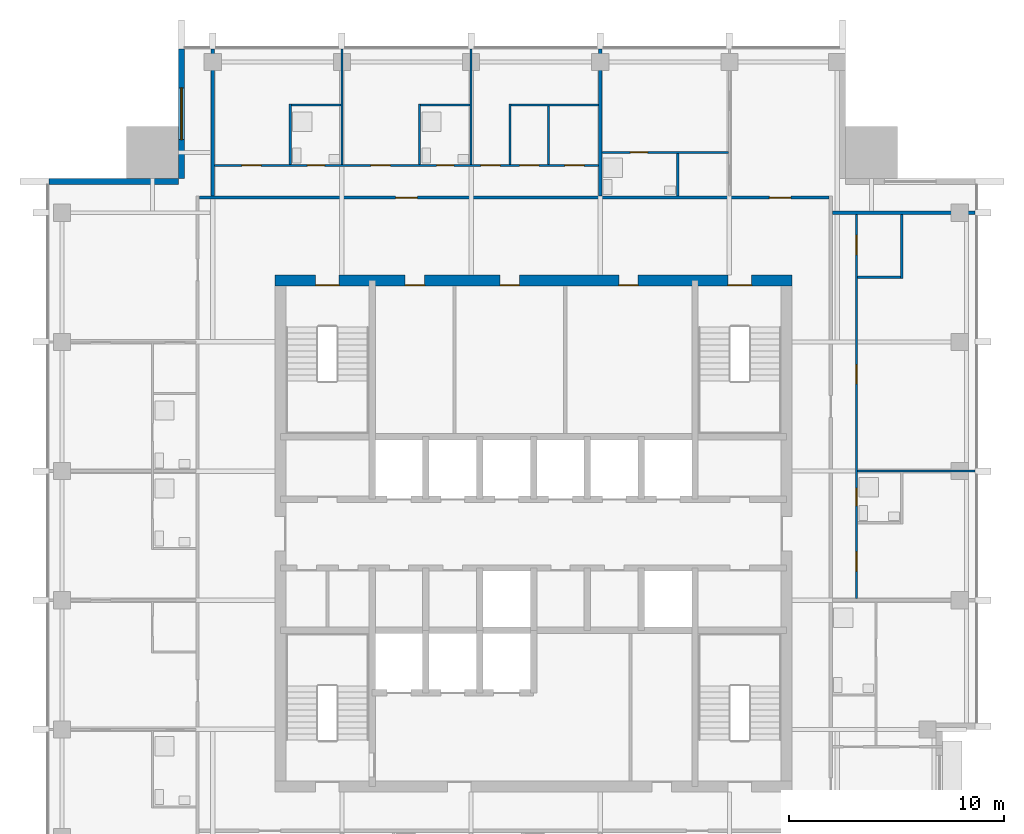
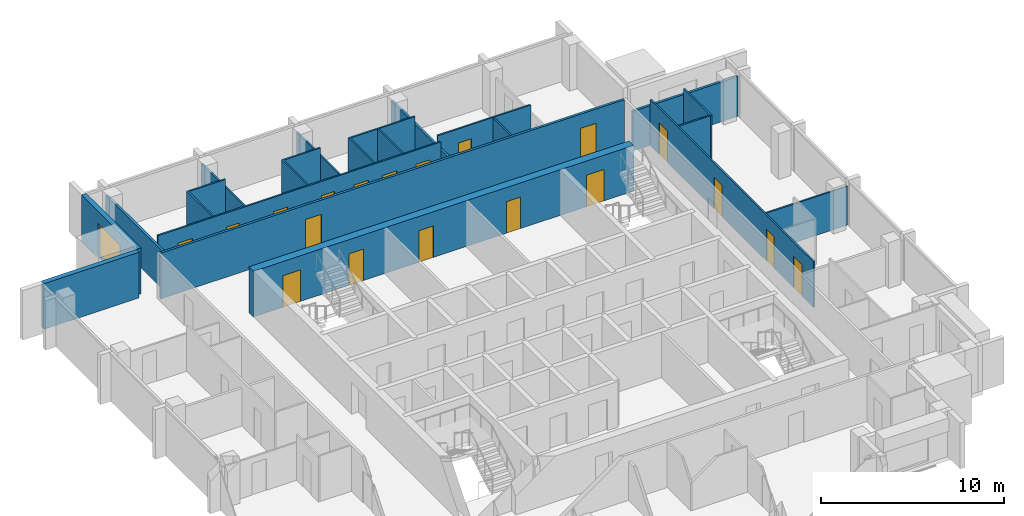
# One storey, part 6 of 9: 23 walls, 19 doors, 1 window, 20 openings.
"""IFC4 building model written with IfcOpenShell, lengths in metres."""

from ifc_helpers import new_model, si_unit, direction, frame, frame_2d, origin, place, context, subcontext, project, spatial, rectangle, extrude, material, layer, layer_set, type_object, element, fill, save


model = new_model("IFC4")

# Units and contexts
model_context = context("Model", 3, precision=1e-05, world=origin(), true_north=direction((0.0, 1.0)))
body_context = subcontext(model_context, "Body", "Model", "MODEL_VIEW")
ifc_project = project(units=[si_unit("LENGTHUNIT", "METRE"), si_unit("AREAUNIT", "SQUARE_METRE"), si_unit("VOLUMEUNIT", "CUBIC_METRE"), si_unit("PLANEANGLEUNIT", "RADIAN"), si_unit("MASSUNIT", "GRAM", prefix="KILO")], contexts=[model_context])

# Site, building, storey
site_placement = place(None, origin())
site = spatial("IfcSite", under=ifc_project, at=site_placement, CompositionType="ELEMENT")
building_placement = place(site_placement, origin())
building = spatial("IfcBuilding", under=site, at=building_placement, Name="Amberfall Residences", CompositionType="ELEMENT")
storey_placement = place(building_placement, frame((0.0, 0.0, 255.39990234375)))
storey = spatial("IfcBuildingStorey", under=building, at=storey_placement, Name="L68", CompositionType="ELEMENT", Elevation=255.39990234375)

# Wall, opening, window
ifc_material_1 = material(Name="Pale stone cladding on insulated backing", Category="masonry")
ifc_layer_1 = layer(ifc_material_1, 0.300048828125)
ifc_layer_set_1 = layer_set([ifc_layer_1], Name="Bronze clad wall 300")
wall_type_1 = type_object("IfcWallType", Name="Bronze clad wall 300", PredefinedType="SOLIDWALL", material=ifc_layer_set_1)
wall_1_placement = place(storey_placement, frame((58.14990234375, 68.0, 0.0), z_axis=(0.0, 0.0, 1.0), x_axis=(0.0, -1.0, 0.0)))
wall_1 = element("IfcWall", 1, at=wall_1_placement, inside=storey, type_object=wall_type_1, Name="External wall L68 NW", PredefinedType="SOLIDWALL", context=body_context, shape_type="SweptSolid", body=[
    extrude(rectangle(XDim=6.0, YDim=0.300048828125, at=frame_2d((3.0, 0.0))), origin(), (0.0, 0.0, 1.0), 3.050048828125),
])
opening_1_placement = place(wall_1_placement, frame((1.800048828125, 0.0, 0.14990234375)))
opening_1 = element("IfcOpeningElement", 2, at=opening_1_placement, cuts=wall_1, Name="Opening WN5", PredefinedType="OPENING", context=body_context, shape_type="SweptSolid", body=[
    extrude(rectangle(XDim=2.39990234375, YDim=2.10009765625, at=frame_2d((1.199951171875, 1.050048828125))), frame((0.0, 0.159912109375, 0.0), z_axis=(0.0, -1.0, 0.0), x_axis=(1.0, 0.0, 0.0)), (0.0, 0.0, 1.0), 0.320068359375),
])
ifc_material_2 = material(Name="Bronze aluminium framed glazing", Category="aluminium")
window_type = type_object("IfcWindowType", Name="Glazed opening 2400 x 2100 bronze", PartitioningType="DOUBLE_PANEL_VERTICAL", PredefinedType="WINDOW", material=ifc_material_2)
window_placement = place(opening_1_placement, origin())
window = element("IfcWindow", 3, at=window_placement, inside=storey, type_object=window_type, Name="Window L68 NW", OverallHeight=2.10009765625, OverallWidth=2.39990234375, PartitioningType="DOUBLE_PANEL_VERTICAL", PredefinedType="WINDOW", context=body_context, shape_type="SweptSolid", body=[
    extrude(rectangle(XDim=2.39990234375, YDim=2.10009765625, at=frame_2d((1.199951171875, 1.050048828125))), frame((0.0, 0.030029296875, 0.0), z_axis=(0.0, -1.0, 0.0), x_axis=(1.0, 0.0, 0.0)), (0.0, 0.0, 1.0), 0.06005859375),
])
fill(opening_1, window)

# Wall
wall_2_placement = place(storey_placement, frame((58.0, 61.85009765625, 0.0), z_axis=(0.0, 0.0, 1.0), x_axis=(-1.0, 0.0, 0.0)))
element("IfcWall", 4, at=wall_2_placement, inside=storey, type_object=wall_type_1, Name="External wall L68 NW", PredefinedType="SOLIDWALL", context=body_context, shape_type="SweptSolid", body=[
    extrude(rectangle(XDim=6.0, YDim=0.300048828125, at=frame_2d((3.0, 0.0))), origin(), (0.0, 0.0, 1.0), 3.050048828125),
])

# Wall, openings, doors
ifc_material_3 = material(Name="Concrete C50", Category="concrete")
ifc_layer_2 = layer(ifc_material_3, 0.5)
ifc_layer_set_2 = layer_set([ifc_layer_2], Name="Core wall 500 C50")
wall_type_2 = type_object("IfcWallType", Name="Core wall 500 C50", PredefinedType="SHEAR", material=ifc_layer_set_2)
wall_3_placement = place(storey_placement, frame((62.5, 57.25, 0.0), z_axis=(0.0, 0.0, 1.0), x_axis=(1.0, 0.0, 0.0)))
wall_3 = element("IfcWall", 5, at=wall_3_placement, inside=storey, type_object=wall_type_2, Name="Core wall RW9 L68 ON", PredefinedType="SHEAR", context=body_context, shape_type="SweptSolid", body=[
    extrude(rectangle(XDim=24.0, YDim=0.5, at=frame_2d((12.0, 0.0))), origin(), (0.0, 0.0, 1.0), 3.050048828125),
])
opening_2_placement = place(wall_3_placement, frame((21.02490234375, 0.0, 0.0)))
opening_2 = element("IfcOpeningElement", 6, at=opening_2_placement, cuts=wall_3, Name="Opening SD1", PredefinedType="OPENING", context=body_context, shape_type="SweptSolid", body=[
    extrude(rectangle(XDim=1.10009765625, YDim=2.10009765625, at=frame_2d((0.550048828125, 1.050048828125))), frame((0.0, 0.260009765625, 0.0), z_axis=(0.0, -1.0, 0.0), x_axis=(1.0, 0.0, 0.0)), (0.0, 0.0, 1.0), 0.52001953125),
])
opening_3_placement = place(wall_3_placement, frame((1.875, 0.0, 0.0)))
opening_3 = element("IfcOpeningElement", 7, at=opening_3_placement, cuts=wall_3, Name="Opening SD1", PredefinedType="OPENING", context=body_context, shape_type="SweptSolid", body=[
    extrude(rectangle(XDim=1.10009765625, YDim=2.10009765625, at=frame_2d((0.550048828125, 1.050048828125))), frame((0.0, 0.260009765625, 0.0), z_axis=(0.0, -1.0, 0.0), x_axis=(1.0, 0.0, 0.0)), (0.0, 0.0, 1.0), 0.52001953125),
])
opening_4_placement = place(wall_3_placement, frame((6.03759765625, 0.0, 0.0)))
opening_4 = element("IfcOpeningElement", 8, at=opening_4_placement, cuts=wall_3, Name="Opening RD1", PredefinedType="OPENING", context=body_context, shape_type="SweptSolid", body=[
    extrude(rectangle(XDim=0.89990234375, YDim=2.10009765625, at=frame_2d((0.449951171875, 1.050048828125))), frame((0.0, 0.260009765625, 0.0), z_axis=(0.0, -1.0, 0.0), x_axis=(1.0, 0.0, 0.0)), (0.0, 0.0, 1.0), 0.52001953125),
])
opening_5_placement = place(wall_3_placement, frame((10.447509765625, 0.0, 0.0)))
opening_5 = element("IfcOpeningElement", 9, at=opening_5_placement, cuts=wall_3, Name="Opening RD1", PredefinedType="OPENING", context=body_context, shape_type="SweptSolid", body=[
    extrude(rectangle(XDim=0.89990234375, YDim=2.10009765625, at=frame_2d((0.449951171875, 1.050048828125))), frame((0.0, 0.260009765625, 0.0), z_axis=(0.0, -1.0, 0.0), x_axis=(1.0, 0.0, 0.0)), (0.0, 0.0, 1.0), 0.52001953125),
])
opening_6_placement = place(wall_3_placement, frame((15.9599609375, 0.0, 0.0)))
opening_6 = element("IfcOpeningElement", 10, at=opening_6_placement, cuts=wall_3, Name="Opening RD1", PredefinedType="OPENING", context=body_context, shape_type="SweptSolid", body=[
    extrude(rectangle(XDim=0.89990234375, YDim=2.10009765625, at=frame_2d((0.449951171875, 1.050048828125))), frame((0.0, 0.260009765625, 0.0), z_axis=(0.0, -1.0, 0.0), x_axis=(1.0, 0.0, 0.0)), (0.0, 0.0, 1.0), 0.52001953125),
])
ifc_material_4 = material(Name="Steel fire door set", Category="steel")
door_type_1 = type_object("IfcDoorType", Name="Service room door 900 x 2100", OperationType="SINGLE_SWING_LEFT", PredefinedType="DOOR", material=ifc_material_4)
door_1_placement = place(opening_4_placement, origin())
door_1 = element("IfcDoor", 11, at=door_1_placement, inside=storey, type_object=door_type_1, Name="RD1 L68", OperationType="SINGLE_SWING_RIGHT", OverallHeight=2.10009765625, OverallWidth=0.89990234375, PredefinedType="DOOR", context=body_context, shape_type="SweptSolid", body=[
    extrude(rectangle(XDim=0.89990234375, YDim=2.10009765625, at=frame_2d((0.449951171875, 1.050048828125))), frame((0.0, -0.1875, 0.0), z_axis=(0.0, -1.0, 0.0), x_axis=(1.0, 0.0, 0.0)), (0.0, 0.0, 1.0), 0.050048828125),
])
fill(opening_4, door_1)
door_2_placement = place(opening_5_placement, origin())
door_2 = element("IfcDoor", 12, at=door_2_placement, inside=storey, type_object=door_type_1, Name="RD1 L68", OperationType="SINGLE_SWING_RIGHT", OverallHeight=2.10009765625, OverallWidth=0.89990234375, PredefinedType="DOOR", context=body_context, shape_type="SweptSolid", body=[
    extrude(rectangle(XDim=0.89990234375, YDim=2.10009765625, at=frame_2d((0.449951171875, 1.050048828125))), frame((0.0, -0.1875, 0.0), z_axis=(0.0, -1.0, 0.0), x_axis=(1.0, 0.0, 0.0)), (0.0, 0.0, 1.0), 0.050048828125),
])
fill(opening_5, door_2)
door_3_placement = place(opening_6_placement, origin())
door_3 = element("IfcDoor", 13, at=door_3_placement, inside=storey, type_object=door_type_1, Name="RD1 L68", OperationType="SINGLE_SWING_RIGHT", OverallHeight=2.10009765625, OverallWidth=0.89990234375, PredefinedType="DOOR", context=body_context, shape_type="SweptSolid", body=[
    extrude(rectangle(XDim=0.89990234375, YDim=2.10009765625, at=frame_2d((0.449951171875, 1.050048828125))), frame((0.0, -0.1875, 0.0), z_axis=(0.0, -1.0, 0.0), x_axis=(1.0, 0.0, 0.0)), (0.0, 0.0, 1.0), 0.050048828125),
])
fill(opening_6, door_3)
door_type_2 = type_object("IfcDoorType", Name="Stair door 1100 x 2100", OperationType="SINGLE_SWING_LEFT", PredefinedType="DOOR", material=ifc_material_4)
door_4_placement = place(opening_2_placement, origin())
door_4 = element("IfcDoor", 14, at=door_4_placement, inside=storey, type_object=door_type_2, Name="SD1 L68", OperationType="SINGLE_SWING_RIGHT", OverallHeight=2.10009765625, OverallWidth=1.10009765625, PredefinedType="DOOR", context=body_context, shape_type="SweptSolid", body=[
    extrude(rectangle(XDim=1.10009765625, YDim=2.10009765625, at=frame_2d((0.550048828125, 1.050048828125))), frame((0.0, -0.1875, 0.0), z_axis=(0.0, -1.0, 0.0), x_axis=(1.0, 0.0, 0.0)), (0.0, 0.0, 1.0), 0.050048828125),
])
fill(opening_2, door_4)
door_5_placement = place(opening_3_placement, origin())
door_5 = element("IfcDoor", 15, at=door_5_placement, inside=storey, type_object=door_type_2, Name="SD1 L68", OperationType="SINGLE_SWING_LEFT", OverallHeight=2.10009765625, OverallWidth=1.10009765625, PredefinedType="DOOR", context=body_context, shape_type="SweptSolid", body=[
    extrude(rectangle(XDim=1.10009765625, YDim=2.10009765625, at=frame_2d((0.550048828125, 1.050048828125))), frame((0.0, -0.1875, 0.0), z_axis=(0.0, -1.0, 0.0), x_axis=(1.0, 0.0, 0.0)), (0.0, 0.0, 1.0), 0.050048828125),
])
fill(opening_3, door_5)

# Walls
ifc_material_5 = material(Name="Gypsum board on metal stud")
ifc_layer_3 = layer(ifc_material_5, 0.10009765625)
ifc_layer_set_3 = layer_set([ifc_layer_3], Name="Flat partition 100")
wall_type_3 = type_object("IfcWallType", Name="Flat partition 100", PredefinedType="PARTITIONING", material=ifc_layer_set_3)
wall_4_placement = place(storey_placement, frame((63.199951171875, 62.64990234375, 0.0), z_axis=(0.0, 0.0, 1.0), x_axis=(0.0, 1.0, 0.0)))
element("IfcWall", 16, at=wall_4_placement, inside=storey, type_object=wall_type_3, Name="Partition 004", PredefinedType="PARTITIONING", context=body_context, shape_type="SweptSolid", body=[
    extrude(rectangle(XDim=2.800048828125, YDim=0.10009765625, at=frame_2d((1.39990234375, 0.0))), origin(), (0.0, 0.0, 1.0), 3.050048828125),
])
wall_5_placement = place(storey_placement, frame((65.60009765625, 62.64990234375, 0.0), z_axis=(0.0, 0.0, 1.0), x_axis=(0.0, 1.0, 0.0)))
element("IfcWall", 17, at=wall_5_placement, inside=storey, type_object=wall_type_3, Name="Partition 006", PredefinedType="PARTITIONING", context=body_context, shape_type="SweptSolid", body=[
    extrude(rectangle(XDim=5.35009765625, YDim=0.10009765625, at=frame_2d((2.675048828125, 0.0))), origin(), (0.0, 0.0, 1.0), 2.51611328125),
])
wall_6_placement = place(storey_placement, frame((69.199951171875, 62.64990234375, 0.0), z_axis=(0.0, 0.0, 1.0), x_axis=(0.0, 1.0, 0.0)))
element("IfcWall", 18, at=wall_6_placement, inside=storey, type_object=wall_type_3, Name="Partition 008", PredefinedType="PARTITIONING", context=body_context, shape_type="SweptSolid", body=[
    extrude(rectangle(XDim=2.800048828125, YDim=0.10009765625, at=frame_2d((1.39990234375, 0.0))), origin(), (0.0, 0.0, 1.0), 3.050048828125),
])
wall_7_placement = place(storey_placement, frame((71.60009765625, 62.64990234375, 0.0), z_axis=(0.0, 0.0, 1.0), x_axis=(0.0, 1.0, 0.0)))
element("IfcWall", 19, at=wall_7_placement, inside=storey, type_object=wall_type_3, Name="Partition 009", PredefinedType="PARTITIONING", context=body_context, shape_type="SweptSolid", body=[
    extrude(rectangle(XDim=5.35009765625, YDim=0.10009765625, at=frame_2d((2.675048828125, 0.0))), origin(), (0.0, 0.0, 1.0), 2.51611328125),
])
wall_8_placement = place(storey_placement, frame((73.39990234375, 62.64990234375, 0.0), z_axis=(0.0, 0.0, 1.0), x_axis=(0.0, 1.0, 0.0)))
element("IfcWall", 20, at=wall_8_placement, inside=storey, type_object=wall_type_3, Name="Partition 010", PredefinedType="PARTITIONING", context=body_context, shape_type="SweptSolid", body=[
    extrude(rectangle(XDim=2.800048828125, YDim=0.10009765625, at=frame_2d((1.39990234375, 0.0))), origin(), (0.0, 0.0, 1.0), 3.050048828125),
])
wall_9_placement = place(storey_placement, frame((75.199951171875, 62.64990234375, 0.0), z_axis=(0.0, 0.0, 1.0), x_axis=(0.0, 1.0, 0.0)))
element("IfcWall", 21, at=wall_9_placement, inside=storey, type_object=wall_type_3, Name="Partition 012", PredefinedType="PARTITIONING", context=body_context, shape_type="SweptSolid", body=[
    extrude(rectangle(XDim=2.7001953125, YDim=0.10009765625, at=frame_2d((1.35009765625, 0.0))), origin(), (0.0, 0.0, 1.0), 3.050048828125),
])
wall_10_placement = place(storey_placement, frame((81.199951171875, 61.175048828125, 0.0), z_axis=(0.0, 0.0, 1.0), x_axis=(0.0, 1.0, 0.0)))
element("IfcWall", 22, at=wall_10_placement, inside=storey, type_object=wall_type_3, Name="Partition 014", PredefinedType="PARTITIONING", context=body_context, shape_type="SweptSolid", body=[
    extrude(rectangle(XDim=1.974853515625, YDim=0.10009765625, at=frame_2d((0.9873046875, 0.0))), origin(), (0.0, 0.0, 1.0), 3.050048828125),
])

# Wall, openings, doors
wall_11_placement = place(storey_placement, frame((89.5, 60.324951171875, 0.0), z_axis=(0.0, 0.0, 1.0), x_axis=(0.0, -1.0, 0.0)))
wall_11 = element("IfcWall", 23, at=wall_11_placement, inside=storey, type_object=wall_type_3, Name="Partition 017", PredefinedType="PARTITIONING", context=body_context, shape_type="SweptSolid", body=[
    extrude(rectangle(XDim=17.849853515625, YDim=0.10009765625, at=frame_2d((8.9248046875, 0.0))), origin(), (0.0, 0.0, 1.0), 3.050048828125),
])
opening_7_placement = place(wall_11_placement, frame((6.97509765625, 0.0, 0.0)))
opening_7 = element("IfcOpeningElement", 24, at=opening_7_placement, cuts=wall_11, Name="Opening D41", PredefinedType="OPENING", context=body_context, shape_type="SweptSolid", body=[
    extrude(rectangle(XDim=0.89990234375, YDim=2.10009765625, at=frame_2d((0.449951171875, 1.050048828125))), frame((0.0, 0.06005859375, 0.0), z_axis=(0.0, -1.0, 0.0), x_axis=(1.0, 0.0, 0.0)), (0.0, 0.0, 1.0), 0.1201171875),
])
opening_8_placement = place(wall_11_placement, frame((0.97509765625, 0.0, 0.0)))
opening_8 = element("IfcOpeningElement", 25, at=opening_8_placement, cuts=wall_11, Name="Opening D41", PredefinedType="OPENING", context=body_context, shape_type="SweptSolid", body=[
    extrude(rectangle(XDim=0.89990234375, YDim=2.10009765625, at=frame_2d((0.449951171875, 1.050048828125))), frame((0.0, 0.06005859375, 0.0), z_axis=(0.0, -1.0, 0.0), x_axis=(1.0, 0.0, 0.0)), (0.0, 0.0, 1.0), 0.1201171875),
])
opening_9_placement = place(wall_11_placement, frame((15.675048828125, 0.0, 0.0)))
opening_9 = element("IfcOpeningElement", 26, at=opening_9_placement, cuts=wall_11, Name="Opening D41", PredefinedType="OPENING", context=body_context, shape_type="SweptSolid", body=[
    extrude(rectangle(XDim=0.89990234375, YDim=2.10009765625, at=frame_2d((0.449951171875, 1.050048828125))), frame((0.0, 0.06005859375, 0.0), z_axis=(0.0, -1.0, 0.0), x_axis=(1.0, 0.0, 0.0)), (0.0, 0.0, 1.0), 0.1201171875),
])
opening_10_placement = place(wall_11_placement, frame((12.72509765625, 0.0, 0.0)))
opening_10 = element("IfcOpeningElement", 27, at=opening_10_placement, cuts=wall_11, Name="Opening D42", PredefinedType="OPENING", context=body_context, shape_type="SweptSolid", body=[
    extrude(rectangle(XDim=0.800048828125, YDim=2.10009765625, at=frame_2d((0.39990234375, 1.050048828125))), frame((0.0, 0.06005859375, 0.0), z_axis=(0.0, -1.0, 0.0), x_axis=(1.0, 0.0, 0.0)), (0.0, 0.0, 1.0), 0.1201171875),
])
ifc_material_6 = material(Name="Timber", Category="wood")
door_type_3 = type_object("IfcDoorType", Name="Bathroom door 800 x 2100", OperationType="SINGLE_SWING_LEFT", PredefinedType="DOOR", material=ifc_material_6)
door_6_placement = place(opening_10_placement, origin())
door_6 = element("IfcDoor", 28, at=door_6_placement, inside=storey, type_object=door_type_3, Name="Door 6804 bath1", OperationType="SINGLE_SWING_LEFT", OverallHeight=2.10009765625, OverallWidth=0.800048828125, PredefinedType="DOOR", context=body_context, shape_type="SweptSolid", body=[
    extrude(rectangle(XDim=0.800048828125, YDim=2.10009765625, at=frame_2d((0.39990234375, 1.050048828125))), frame((0.0, 0.02490234375, 0.0), z_axis=(0.0, -1.0, 0.0), x_axis=(1.0, 0.0, 0.0)), (0.0, 0.0, 1.0), 0.050048828125),
])
fill(opening_10, door_6)
door_type_4 = type_object("IfcDoorType", Name="Internal door 900 x 2100", OperationType="SINGLE_SWING_LEFT", PredefinedType="DOOR", material=ifc_material_6)
door_7_placement = place(opening_7_placement, origin())
door_7 = element("IfcDoor", 29, at=door_7_placement, inside=storey, type_object=door_type_4, Name="Door 6804 living", OperationType="SINGLE_SWING_LEFT", OverallHeight=2.10009765625, OverallWidth=0.89990234375, PredefinedType="DOOR", context=body_context, shape_type="SweptSolid", body=[
    extrude(rectangle(XDim=0.89990234375, YDim=2.10009765625, at=frame_2d((0.449951171875, 1.050048828125))), frame((0.0, 0.02490234375, 0.0), z_axis=(0.0, -1.0, 0.0), x_axis=(1.0, 0.0, 0.0)), (0.0, 0.0, 1.0), 0.050048828125),
])
fill(opening_7, door_7)
door_8_placement = place(opening_8_placement, origin())
door_8 = element("IfcDoor", 30, at=door_8_placement, inside=storey, type_object=door_type_4, Name="Door 6804 kitchen", OperationType="SINGLE_SWING_LEFT", OverallHeight=2.10009765625, OverallWidth=0.89990234375, PredefinedType="DOOR", context=body_context, shape_type="SweptSolid", body=[
    extrude(rectangle(XDim=0.89990234375, YDim=2.10009765625, at=frame_2d((0.449951171875, 1.050048828125))), frame((0.0, 0.02490234375, 0.0), z_axis=(0.0, -1.0, 0.0), x_axis=(1.0, 0.0, 0.0)), (0.0, 0.0, 1.0), 0.050048828125),
])
fill(opening_8, door_8)
door_9_placement = place(opening_9_placement, origin())
door_9 = element("IfcDoor", 31, at=door_9_placement, inside=storey, type_object=door_type_4, Name="Door 6804 bedroom1", OperationType="SINGLE_SWING_LEFT", OverallHeight=2.10009765625, OverallWidth=0.89990234375, PredefinedType="DOOR", context=body_context, shape_type="SweptSolid", body=[
    extrude(rectangle(XDim=0.89990234375, YDim=2.10009765625, at=frame_2d((0.449951171875, 1.050048828125))), frame((0.0, 0.02490234375, 0.0), z_axis=(0.0, -1.0, 0.0), x_axis=(1.0, 0.0, 0.0)), (0.0, 0.0, 1.0), 0.050048828125),
])
fill(opening_9, door_9)

# Walls
wall_12_placement = place(storey_placement, frame((91.60009765625, 57.35009765625, 0.0), z_axis=(0.0, 0.0, 1.0), x_axis=(0.0, 1.0, 0.0)))
element("IfcWall", 32, at=wall_12_placement, inside=storey, type_object=wall_type_3, Name="Partition 020", PredefinedType="PARTITIONING", context=body_context, shape_type="SweptSolid", body=[
    extrude(rectangle(XDim=2.974853515625, YDim=0.10009765625, at=frame_2d((1.4873046875, 0.0))), origin(), (0.0, 0.0, 1.0), 3.050048828125),
])
for number, where, z_axis, x_axis, name in (
    (33, (63.25, 65.39990234375, 0.0), (0.0, 0.0, 1.0), (1.0, 0.0, 0.0), "Partition 021"),
    (34, (69.25, 65.39990234375, 0.0), (0.0, 0.0, 1.0), (1.0, 0.0, 0.0), "Partition 022"),
):
    element("IfcWall", number, at=place(storey_placement, frame(where, z_axis=z_axis, x_axis=x_axis)), inside=storey, type_object=wall_type_3, Name=name, PredefinedType="PARTITIONING", context=body_context, shape_type="SweptSolid", body=[
        extrude(rectangle(XDim=2.300048828125, YDim=0.10009765625, at=frame_2d((1.14990234375, 0.0))), origin(), (0.0, 0.0, 1.0), 3.050048828125),
    ])
wall_13_placement = place(storey_placement, frame((73.449951171875, 65.39990234375, 0.0), z_axis=(0.0, 0.0, 1.0), x_axis=(1.0, 0.0, 0.0)))
element("IfcWall", 35, at=wall_13_placement, inside=storey, type_object=wall_type_3, Name="Partition 023", PredefinedType="PARTITIONING", context=body_context, shape_type="SweptSolid", body=[
    extrude(rectangle(XDim=4.074951171875, YDim=0.10009765625, at=frame_2d((2.03759765625, 0.0))), origin(), (0.0, 0.0, 1.0), 3.050048828125),
])

# Wall, opening, door
wall_14_placement = place(storey_placement, frame((83.550048828125, 63.199951171875, 0.0), z_axis=(0.0, 0.0, 1.0), x_axis=(-1.0, 0.0, 0.0)))
wall_14 = element("IfcWall", 36, at=wall_14_placement, inside=storey, type_object=wall_type_3, Name="Partition 024", PredefinedType="PARTITIONING", context=body_context, shape_type="SweptSolid", body=[
    extrude(rectangle(XDim=5.875, YDim=0.10009765625, at=frame_2d((2.9375, 0.0))), origin(), (0.0, 0.0, 1.0), 3.050048828125),
])
opening_11_placement = place(wall_14_placement, frame((3.75, 0.0, 0.0)))
opening_11 = element("IfcOpeningElement", 37, at=opening_11_placement, cuts=wall_14, Name="Opening D42", PredefinedType="OPENING", context=body_context, shape_type="SweptSolid", body=[
    extrude(rectangle(XDim=0.800048828125, YDim=2.10009765625, at=frame_2d((0.39990234375, 1.050048828125))), frame((0.0, 0.06005859375, 0.0), z_axis=(0.0, -1.0, 0.0), x_axis=(1.0, 0.0, 0.0)), (0.0, 0.0, 1.0), 0.1201171875),
])
door_10_placement = place(opening_11_placement, origin())
door_10 = element("IfcDoor", 38, at=door_10_placement, inside=storey, type_object=door_type_3, Name="Door 6806 bath1", OperationType="SINGLE_SWING_LEFT", OverallHeight=2.10009765625, OverallWidth=0.800048828125, PredefinedType="DOOR", context=body_context, shape_type="SweptSolid", body=[
    extrude(rectangle(XDim=0.800048828125, YDim=2.10009765625, at=frame_2d((0.39990234375, 1.050048828125))), frame((0.0, 0.02490234375, 0.0), z_axis=(0.0, -1.0, 0.0), x_axis=(1.0, 0.0, 0.0)), (0.0, 0.0, 1.0), 0.050048828125),
])
fill(opening_11, door_10)

# Wall, openings, doors
wall_15_placement = place(storey_placement, frame((59.675048828125, 62.60009765625, 0.0), z_axis=(0.0, 0.0, 1.0), x_axis=(1.0, 0.0, 0.0)))
wall_15 = element("IfcWall", 39, at=wall_15_placement, inside=storey, type_object=wall_type_3, Name="Partition 025", PredefinedType="PARTITIONING", context=body_context, shape_type="SweptSolid", body=[
    extrude(rectangle(XDim=17.849853515625, YDim=0.10009765625, at=frame_2d((8.9248046875, 0.0))), origin(), (0.0, 0.0, 1.0), 3.050048828125),
])
opening_12_placement = place(wall_15_placement, frame((12.375, 0.0, 0.0)))
opening_12 = element("IfcOpeningElement", 40, at=opening_12_placement, cuts=wall_15, Name="Opening D41", PredefinedType="OPENING", context=body_context, shape_type="SweptSolid", body=[
    extrude(rectangle(XDim=0.89990234375, YDim=2.10009765625, at=frame_2d((0.449951171875, 1.050048828125))), frame((0.0, 0.06005859375, 0.0), z_axis=(0.0, -1.0, 0.0), x_axis=(1.0, 0.0, 0.0)), (0.0, 0.0, 1.0), 0.1201171875),
])
opening_13_placement = place(wall_15_placement, frame((16.27490234375, 0.0, 0.0)))
opening_13 = element("IfcOpeningElement", 41, at=opening_13_placement, cuts=wall_15, Name="Opening D41", PredefinedType="OPENING", context=body_context, shape_type="SweptSolid", body=[
    extrude(rectangle(XDim=0.89990234375, YDim=2.10009765625, at=frame_2d((0.449951171875, 1.050048828125))), frame((0.0, 0.06005859375, 0.0), z_axis=(0.0, -1.0, 0.0), x_axis=(1.0, 0.0, 0.0)), (0.0, 0.0, 1.0), 0.1201171875),
])
opening_14_placement = place(wall_15_placement, frame((14.175048828125, 0.0, 0.0)))
opening_14 = element("IfcOpeningElement", 42, at=opening_14_placement, cuts=wall_15, Name="Opening D41", PredefinedType="OPENING", context=body_context, shape_type="SweptSolid", body=[
    extrude(rectangle(XDim=0.89990234375, YDim=2.10009765625, at=frame_2d((0.449951171875, 1.050048828125))), frame((0.0, 0.06005859375, 0.0), z_axis=(0.0, -1.0, 0.0), x_axis=(1.0, 0.0, 0.0)), (0.0, 0.0, 1.0), 0.1201171875),
])
opening_15_placement = place(wall_15_placement, frame((1.27490234375, 0.0, 0.0)))
opening_15 = element("IfcOpeningElement", 43, at=opening_15_placement, cuts=wall_15, Name="Opening D41", PredefinedType="OPENING", context=body_context, shape_type="SweptSolid", body=[
    extrude(rectangle(XDim=0.89990234375, YDim=2.10009765625, at=frame_2d((0.449951171875, 1.050048828125))), frame((0.0, 0.06005859375, 0.0), z_axis=(0.0, -1.0, 0.0), x_axis=(1.0, 0.0, 0.0)), (0.0, 0.0, 1.0), 0.1201171875),
])
opening_16_placement = place(wall_15_placement, frame((7.27490234375, 0.0, 0.0)))
opening_16 = element("IfcOpeningElement", 44, at=opening_16_placement, cuts=wall_15, Name="Opening D41", PredefinedType="OPENING", context=body_context, shape_type="SweptSolid", body=[
    extrude(rectangle(XDim=0.89990234375, YDim=2.10009765625, at=frame_2d((0.449951171875, 1.050048828125))), frame((0.0, 0.06005859375, 0.0), z_axis=(0.0, -1.0, 0.0), x_axis=(1.0, 0.0, 0.0)), (0.0, 0.0, 1.0), 0.1201171875),
])
opening_17_placement = place(wall_15_placement, frame((4.324951171875, 0.0, 0.0)))
opening_17 = element("IfcOpeningElement", 45, at=opening_17_placement, cuts=wall_15, Name="Opening D42", PredefinedType="OPENING", context=body_context, shape_type="SweptSolid", body=[
    extrude(rectangle(XDim=0.800048828125, YDim=2.10009765625, at=frame_2d((0.39990234375, 1.050048828125))), frame((0.0, 0.06005859375, 0.0), z_axis=(0.0, -1.0, 0.0), x_axis=(1.0, 0.0, 0.0)), (0.0, 0.0, 1.0), 0.1201171875),
])
opening_18_placement = place(wall_15_placement, frame((10.324951171875, 0.0, 0.0)))
opening_18 = element("IfcOpeningElement", 46, at=opening_18_placement, cuts=wall_15, Name="Opening D42", PredefinedType="OPENING", context=body_context, shape_type="SweptSolid", body=[
    extrude(rectangle(XDim=0.800048828125, YDim=2.10009765625, at=frame_2d((0.39990234375, 1.050048828125))), frame((0.0, 0.06005859375, 0.0), z_axis=(0.0, -1.0, 0.0), x_axis=(1.0, 0.0, 0.0)), (0.0, 0.0, 1.0), 0.1201171875),
])
door_11_placement = place(opening_17_placement, origin())
door_11 = element("IfcDoor", 47, at=door_11_placement, inside=storey, type_object=door_type_3, Name="Door 6805 bath1", OperationType="SINGLE_SWING_LEFT", OverallHeight=2.10009765625, OverallWidth=0.800048828125, PredefinedType="DOOR", context=body_context, shape_type="SweptSolid", body=[
    extrude(rectangle(XDim=0.800048828125, YDim=2.10009765625, at=frame_2d((0.39990234375, 1.050048828125))), frame((0.0, 0.02490234375, 0.0), z_axis=(0.0, -1.0, 0.0), x_axis=(1.0, 0.0, 0.0)), (0.0, 0.0, 1.0), 0.050048828125),
])
fill(opening_17, door_11)
door_12_placement = place(opening_18_placement, origin())
door_12 = element("IfcDoor", 48, at=door_12_placement, inside=storey, type_object=door_type_3, Name="Door 6805 bath2", OperationType="SINGLE_SWING_LEFT", OverallHeight=2.10009765625, OverallWidth=0.800048828125, PredefinedType="DOOR", context=body_context, shape_type="SweptSolid", body=[
    extrude(rectangle(XDim=0.800048828125, YDim=2.10009765625, at=frame_2d((0.39990234375, 1.050048828125))), frame((0.0, 0.02490234375, 0.0), z_axis=(0.0, -1.0, 0.0), x_axis=(1.0, 0.0, 0.0)), (0.0, 0.0, 1.0), 0.050048828125),
])
fill(opening_18, door_12)
door_13_placement = place(opening_12_placement, origin())
door_13 = element("IfcDoor", 49, at=door_13_placement, inside=storey, type_object=door_type_4, Name="Door 6805 living", OperationType="SINGLE_SWING_LEFT", OverallHeight=2.10009765625, OverallWidth=0.89990234375, PredefinedType="DOOR", context=body_context, shape_type="SweptSolid", body=[
    extrude(rectangle(XDim=0.89990234375, YDim=2.10009765625, at=frame_2d((0.449951171875, 1.050048828125))), frame((0.0, 0.02490234375, 0.0), z_axis=(0.0, -1.0, 0.0), x_axis=(1.0, 0.0, 0.0)), (0.0, 0.0, 1.0), 0.050048828125),
])
fill(opening_12, door_13)
door_14_placement = place(opening_13_placement, origin())
door_14 = element("IfcDoor", 50, at=door_14_placement, inside=storey, type_object=door_type_4, Name="Door 6805 kitchen", OperationType="SINGLE_SWING_LEFT", OverallHeight=2.10009765625, OverallWidth=0.89990234375, PredefinedType="DOOR", context=body_context, shape_type="SweptSolid", body=[
    extrude(rectangle(XDim=0.89990234375, YDim=2.10009765625, at=frame_2d((0.449951171875, 1.050048828125))), frame((0.0, 0.02490234375, 0.0), z_axis=(0.0, -1.0, 0.0), x_axis=(1.0, 0.0, 0.0)), (0.0, 0.0, 1.0), 0.050048828125),
])
fill(opening_13, door_14)
door_15_placement = place(opening_14_placement, origin())
door_15 = element("IfcDoor", 51, at=door_15_placement, inside=storey, type_object=door_type_4, Name="Door 6805 utility", OperationType="SINGLE_SWING_LEFT", OverallHeight=2.10009765625, OverallWidth=0.89990234375, PredefinedType="DOOR", context=body_context, shape_type="SweptSolid", body=[
    extrude(rectangle(XDim=0.89990234375, YDim=2.10009765625, at=frame_2d((0.449951171875, 1.050048828125))), frame((0.0, 0.02490234375, 0.0), z_axis=(0.0, -1.0, 0.0), x_axis=(1.0, 0.0, 0.0)), (0.0, 0.0, 1.0), 0.050048828125),
])
fill(opening_14, door_15)
door_16_placement = place(opening_15_placement, origin())
door_16 = element("IfcDoor", 52, at=door_16_placement, inside=storey, type_object=door_type_4, Name="Door 6805 bedroom1", OperationType="SINGLE_SWING_LEFT", OverallHeight=2.10009765625, OverallWidth=0.89990234375, PredefinedType="DOOR", context=body_context, shape_type="SweptSolid", body=[
    extrude(rectangle(XDim=0.89990234375, YDim=2.10009765625, at=frame_2d((0.449951171875, 1.050048828125))), frame((0.0, 0.02490234375, 0.0), z_axis=(0.0, -1.0, 0.0), x_axis=(1.0, 0.0, 0.0)), (0.0, 0.0, 1.0), 0.050048828125),
])
fill(opening_15, door_16)
door_17_placement = place(opening_16_placement, origin())
door_17 = element("IfcDoor", 53, at=door_17_placement, inside=storey, type_object=door_type_4, Name="Door 6805 bedroom2", OperationType="SINGLE_SWING_LEFT", OverallHeight=2.10009765625, OverallWidth=0.89990234375, PredefinedType="DOOR", context=body_context, shape_type="SweptSolid", body=[
    extrude(rectangle(XDim=0.89990234375, YDim=2.10009765625, at=frame_2d((0.449951171875, 1.050048828125))), frame((0.0, 0.02490234375, 0.0), z_axis=(0.0, -1.0, 0.0), x_axis=(1.0, 0.0, 0.0)), (0.0, 0.0, 1.0), 0.050048828125),
])
fill(opening_16, door_17)

# Walls
wall_16_placement = place(storey_placement, frame((89.550048828125, 57.39990234375, 0.0), z_axis=(0.0, 0.0, 1.0), x_axis=(1.0, 0.0, 0.0)))
element("IfcWall", 54, at=wall_16_placement, inside=storey, type_object=wall_type_3, Name="Partition 026", PredefinedType="PARTITIONING", context=body_context, shape_type="SweptSolid", body=[
    extrude(rectangle(XDim=2.0, YDim=0.10009765625, at=frame_2d((1.0, 0.0))), origin(), (0.0, 0.0, 1.0), 3.050048828125),
])
wall_17_placement = place(storey_placement, frame((89.550048828125, 48.39990234375, 0.0), z_axis=(0.0, 0.0, 1.0), x_axis=(1.0, 0.0, 0.0)))
element("IfcWall", 55, at=wall_17_placement, inside=storey, type_object=wall_type_3, Name="Partition 029", PredefinedType="PARTITIONING", context=body_context, shape_type="SweptSolid", body=[
    extrude(rectangle(XDim=5.449951171875, YDim=0.10009765625, at=frame_2d((2.72509765625, 0.0))), origin(), (0.0, 0.0, 1.0), 2.590087890625),
])
ifc_material_7 = material(Name="Blockwork, plastered", Category="masonry")
ifc_layer_4 = layer(ifc_material_7, 0.14990234375)
ifc_layer_set_4 = layer_set([ifc_layer_4], Name="Flat separating wall 150")
wall_type_4 = type_object("IfcWallType", Name="Flat separating wall 150", PredefinedType="PARTITIONING", material=ifc_layer_set_4)
wall_18_placement = place(storey_placement, frame((59.60009765625, 61.175048828125, 0.0), z_axis=(0.0, 0.0, 1.0), x_axis=(0.0, 1.0, 0.0)))
element("IfcWall", 56, at=wall_18_placement, inside=storey, type_object=wall_type_4, Name="Separating wall 042", PredefinedType="PARTITIONING", context=body_context, shape_type="SweptSolid", body=[
    extrude(rectangle(XDim=6.824951171875, YDim=0.14990234375, at=frame_2d((3.41259765625, 0.0))), origin(), (0.0, 0.0, 1.0), 2.510009765625),
])
wall_19_placement = place(storey_placement, frame((77.60009765625, 61.175048828125, 0.0), z_axis=(0.0, 0.0, 1.0), x_axis=(0.0, 1.0, 0.0)))
element("IfcWall", 57, at=wall_19_placement, inside=storey, type_object=wall_type_4, Name="Separating wall 044", PredefinedType="PARTITIONING", context=body_context, shape_type="SweptSolid", body=[
    extrude(rectangle(XDim=6.824951171875, YDim=0.14990234375, at=frame_2d((3.41259765625, 0.0))), origin(), (0.0, 0.0, 1.0), 2.51611328125),
])

# Wall, openings, doors
wall_20_placement = place(storey_placement, frame((58.97509765625, 61.10009765625, 0.0), z_axis=(0.0, 0.0, 1.0), x_axis=(1.0, 0.0, 0.0)))
wall_20 = element("IfcWall", 58, at=wall_20_placement, inside=storey, type_object=wall_type_4, Name="Separating wall 047", PredefinedType="PARTITIONING", context=body_context, shape_type="SweptSolid", body=[
    extrude(rectangle(XDim=29.25, YDim=0.14990234375, at=frame_2d((14.625, 0.0))), origin(), (0.0, 0.0, 1.0), 3.050048828125),
])
opening_19_placement = place(wall_20_placement, frame((9.125, 0.0, 0.0)))
opening_19 = element("IfcOpeningElement", 59, at=opening_19_placement, cuts=wall_20, Name="Opening D40", PredefinedType="OPENING", context=body_context, shape_type="SweptSolid", body=[
    extrude(rectangle(XDim=1.0, YDim=2.10009765625, at=frame_2d((0.5, 1.050048828125))), frame((0.0, 0.0849609375, 0.0), z_axis=(0.0, -1.0, 0.0), x_axis=(1.0, 0.0, 0.0)), (0.0, 0.0, 1.0), 0.169921875),
])
opening_20_placement = place(wall_20_placement, frame((26.47509765625, 0.0, 0.0)))
opening_20 = element("IfcOpeningElement", 60, at=opening_20_placement, cuts=wall_20, Name="Opening D40", PredefinedType="OPENING", context=body_context, shape_type="SweptSolid", body=[
    extrude(rectangle(XDim=1.0, YDim=2.10009765625, at=frame_2d((0.5, 1.050048828125))), frame((0.0, 0.0849609375, 0.0), z_axis=(0.0, -1.0, 0.0), x_axis=(1.0, 0.0, 0.0)), (0.0, 0.0, 1.0), 0.169921875),
])
ifc_material_8 = material(Name="Timber, fire-rated", Category="wood")
door_type_5 = type_object("IfcDoorType", Name="Flat entrance door FD60 1000 x 2100", OperationType="SINGLE_SWING_LEFT", PredefinedType="DOOR", material=ifc_material_8)
door_18_placement = place(opening_19_placement, origin())
door_18 = element("IfcDoor", 61, at=door_18_placement, inside=storey, type_object=door_type_5, Name="Door 6805 entrance", OperationType="SINGLE_SWING_LEFT", OverallHeight=2.10009765625, OverallWidth=1.0, PredefinedType="DOOR", context=body_context, shape_type="SweptSolid", body=[
    extrude(rectangle(XDim=1.0, YDim=2.10009765625, at=frame_2d((0.5, 1.050048828125))), frame((0.0, 0.02490234375, 0.0), z_axis=(0.0, -1.0, 0.0), x_axis=(1.0, 0.0, 0.0)), (0.0, 0.0, 1.0), 0.050048828125),
])
fill(opening_19, door_18)
door_19_placement = place(opening_20_placement, origin())
door_19 = element("IfcDoor", 62, at=door_19_placement, inside=storey, type_object=door_type_5, Name="Door 6806 entrance", OperationType="SINGLE_SWING_LEFT", OverallHeight=2.10009765625, OverallWidth=1.0, PredefinedType="DOOR", context=body_context, shape_type="SweptSolid", body=[
    extrude(rectangle(XDim=1.0, YDim=2.10009765625, at=frame_2d((0.5, 1.050048828125))), frame((0.0, 0.02490234375, 0.0), z_axis=(0.0, -1.0, 0.0), x_axis=(1.0, 0.0, 0.0)), (0.0, 0.0, 1.0), 0.050048828125),
])
fill(opening_20, door_19)

# Wall
wall_21_placement = place(storey_placement, frame((88.375, 60.39990234375, 0.0), z_axis=(0.0, 0.0, 1.0), x_axis=(1.0, 0.0, 0.0)))
element("IfcWall", 63, at=wall_21_placement, inside=storey, type_object=wall_type_4, Name="Separating wall 048", PredefinedType="PARTITIONING", context=body_context, shape_type="SweptSolid", body=[
    extrude(rectangle(XDim=6.625, YDim=0.14990234375, at=frame_2d((3.3125, 0.0))), origin(), (0.0, 0.0, 1.0), 2.647216796875),
])

save(model, "model.ifc")
